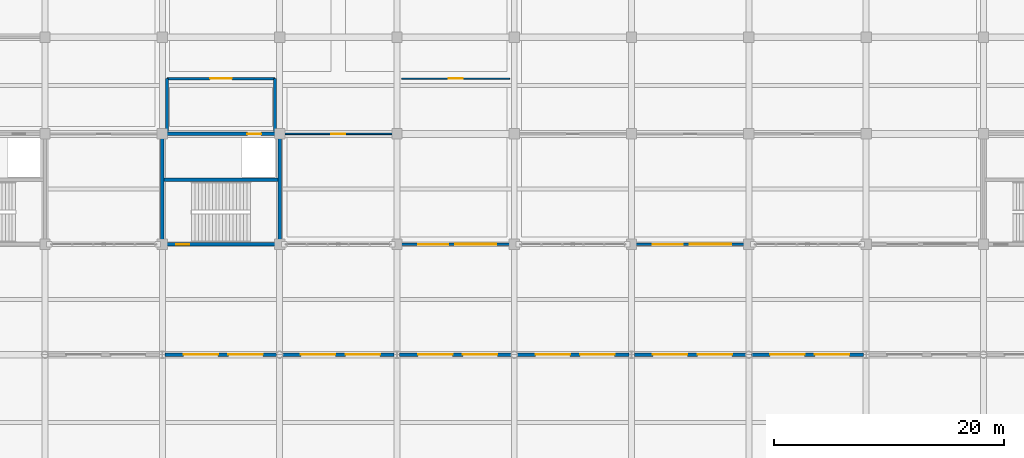
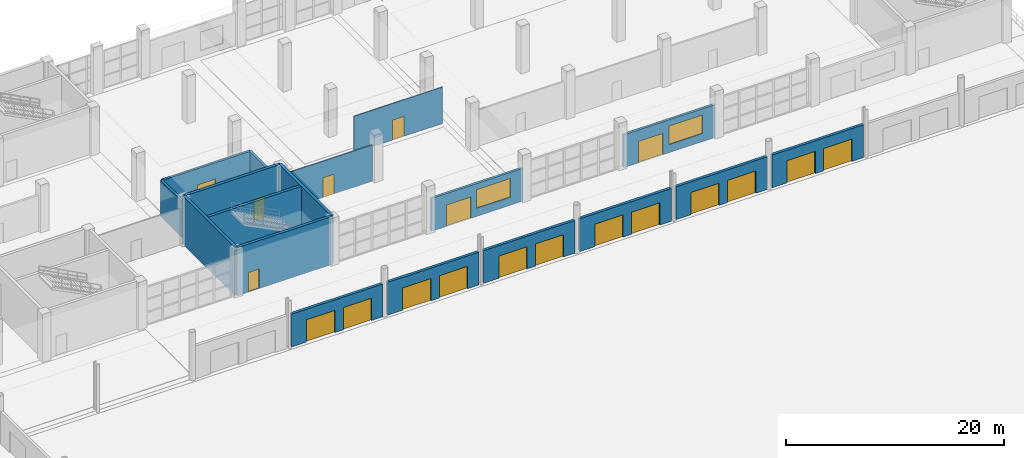
# One storey, part 89 of 124: 19 doors, 18 walls, 2 windows, 21 openings.
"""IFC4 building model written with IfcOpenShell, lengths in metres."""

import ifcopenshell
import ifcopenshell.guid

model = None  # the IFC model being written
_history = None  # IfcOwnerHistory: only IFC2X3 demands one
_inside = {}  # id of a spatial element -> (the spatial element, [elements in it])
_under = {}  # id of a project, library or spatial element -> (it, [spatial elements below it])
_declared = {}  # id of a project -> (the project, [libraries it declares])
_typed = {}  # id of a type object -> (the type object, [elements of that type])
_made_of = {}  # id of a material, layer set ... -> (it, [elements and type objects made of it])


def new_model(schema):
    """Start an empty IFC model of exactly this schema.

    Asked for "IFC4X3", IfcOpenShell would pick the latest addendum, in which some entities
    have other attributes; the version numbers below select the first issue.
    IFC2X3 requires an IfcOwnerHistory on every rooted entity: one is made here for all.
    """
    global model, _history
    if schema == "IFC4X3":
        model = ifcopenshell.file(schema_version=(4, 3, 0, 0))
    else:
        model = ifcopenshell.file(schema=schema)
    _inside.clear()
    _under.clear()
    _declared.clear()
    _typed.clear()
    _made_of.clear()
    _history = None
    if model.schema == "IFC2X3":
        org = make("IfcOrganization", Name="unknown")
        user = make(
            "IfcPersonAndOrganization",
            ThePerson=make("IfcPerson", FamilyName="unknown"),
            TheOrganization=org,
        )
        app = make(
            "IfcApplication",
            ApplicationDeveloper=org,
            Version="unknown",
            ApplicationFullName="unknown",
            ApplicationIdentifier="unknown",
        )
        _history = make(
            "IfcOwnerHistory",
            OwningUser=user,
            OwningApplication=app,
            ChangeAction="ADDED",
            CreationDate=0,
        )
    return model


def make(cls, **values):
    """One entity of the class cls with the attributes given. An attribute that is None is left unset."""
    return model.create_entity(
        cls, **{name: value for name, value in values.items() if value is not None}
    )


def rooted(cls, **values):
    """An entity with a GlobalId (a new one), such as an element, a storey or a relation."""
    return make(cls, GlobalId=ifcopenshell.guid.new(), OwnerHistory=_history, **values)


def si_unit(unit_type, name, prefix=None):
    """IfcSIUnit, for example si_unit("LENGTHUNIT", "METRE", prefix="MILLI")."""
    return make("IfcSIUnit", UnitType=unit_type, Prefix=prefix, Name=name)


def assignment(units):
    """IfcUnitAssignment: the units of a project."""
    return None if units is None else make("IfcUnitAssignment", Units=units)


def point(xyz):
    """IfcCartesianPoint."""
    return None if xyz is None else make("IfcCartesianPoint", Coordinates=xyz)


def direction(xyz):
    """IfcDirection."""
    return None if xyz is None else make("IfcDirection", DirectionRatios=xyz)


def frame(location, z_axis=None, x_axis=None):
    """IfcAxis2Placement3D, a coordinate frame: its origin and axes. An axis left out is left unset."""
    return make(
        "IfcAxis2Placement3D",
        Location=point(location),
        Axis=direction(z_axis),
        RefDirection=direction(x_axis),
    )


def frame_2d(location, x_axis=None):
    """IfcAxis2Placement2D, a coordinate frame in the plane: its origin and x axis."""
    return make(
        "IfcAxis2Placement2D", Location=point(location), RefDirection=direction(x_axis)
    )


def origin():
    """The frame at (0, 0, 0) with its axes left unset."""
    return frame((0.0, 0.0, 0.0))


def place(relative_to, where):
    """IfcLocalPlacement: puts the frame where relative to a parent placement (None: the world)."""
    return make(
        "IfcLocalPlacement", PlacementRelTo=relative_to, RelativePlacement=where
    )


def context(
    kind, dimensions, precision=None, world=None, true_north=None, identifier=None
):
    """IfcGeometricRepresentationContext, for example the 3D "Model" context."""
    return make(
        "IfcGeometricRepresentationContext",
        ContextIdentifier=identifier,
        ContextType=kind,
        CoordinateSpaceDimension=dimensions,
        Precision=precision,
        WorldCoordinateSystem=world,
        TrueNorth=true_north,
    )


def subcontext(parent, identifier, kind, view, scale=None):
    """IfcGeometricRepresentationSubContext, for example "Body" below "Model"."""
    return make(
        "IfcGeometricRepresentationSubContext",
        ContextIdentifier=identifier,
        ContextType=kind,
        ParentContext=parent,
        TargetScale=scale,
        TargetView=view,
    )


def project(units=None, contexts=None):
    """IfcProject with its units and contexts."""
    return rooted(
        "IfcProject",
        Name="project",
        RepresentationContexts=contexts,
        UnitsInContext=assignment(units),
    )


def spatial(cls, under=None, at=None, **own):
    """A site, building, storey or space (cls), placed at a placement, below another one or the project."""
    s = rooted(cls, ObjectPlacement=at, **own)
    if under is not None:
        _under.setdefault(under.id(), (under, []))[1].append(s)
    return s


def profile(cls, at=None, kind="AREA", **sizes):
    """A parametric profile (cls). Its sizes go by their IFC names, for example OverallWidth=200.0."""
    return make(cls, ProfileType=kind, Position=at, **sizes)


def rectangle(**sizes):
    """IfcRectangleProfileDef."""
    return profile("IfcRectangleProfileDef", **sizes)


def extrude(swept, where, along, depth):
    """IfcExtrudedAreaSolid: the profile swept, set in the frame where, extruded along a direction by depth."""
    return make(
        "IfcExtrudedAreaSolid",
        SweptArea=swept,
        Position=where,
        ExtrudedDirection=direction(along),
        Depth=depth,
    )


def shape(context_of_items, identifier, shape_type, items):
    """IfcShapeRepresentation: the items that make up one representation, for example the "Body"."""
    return make(
        "IfcShapeRepresentation",
        ContextOfItems=context_of_items,
        RepresentationIdentifier=identifier,
        RepresentationType=shape_type,
        Items=items,
    )


def material(Name=None, Category=None):
    """IfcMaterial."""
    return make("IfcMaterial", Name=Name, Category=Category)


def layer(
    of_material, thickness, ventilated=None, Name=None, Category=None, Priority=None
):
    """IfcMaterialLayer: one layer of a wall or slab, of a material (None: an air gap)."""
    return make(
        "IfcMaterialLayer",
        Material=of_material,
        LayerThickness=thickness,
        IsVentilated=ventilated,
        Name=Name,
        Category=Category,
        Priority=Priority,
    )


def layer_set(layers, Name=None):
    """IfcMaterialLayerSet."""
    return make("IfcMaterialLayerSet", MaterialLayers=layers, LayerSetName=Name)


def made_of(thing, what):
    """Note that an element or type object is made of a material, layer set ...; save() writes the relation."""
    if what is not None:
        _made_of.setdefault(what.id(), (what, []))[1].append(thing)
    return thing


def type_object(cls, material=None, **own):
    """A type object (cls), such as IfcWallType, which elements share."""
    return made_of(rooted(cls, **own), material)


def element(
    cls,
    number,
    at=None,
    inside=None,
    cuts=None,
    type_object=None,
    material=None,
    context=None,
    identifier="Body",
    shape_type=None,
    held_by="IfcProductDefinitionShape",
    body=None,
    shapes=None,
    **own,
):
    """One element of the class cls, such as IfcWall. Its Tag is "e" and its number.

    at: its placement. inside: the storey or other place that contains it. cuts: it is an
    opening in that element (IfcRelVoidsElement). A single representation is given by context,
    identifier, shape_type and body (its items); several are given by shapes. held_by: the class
    of the entity that holds the representations. save() writes the other relations.
    """
    e = rooted(cls, Tag="e%d" % number, ObjectPlacement=at, **own)
    if body is not None:
        shapes = [shape(context, identifier, shape_type, body)]
    if shapes is not None:
        e.Representation = make(held_by, Representations=shapes)
    if inside is not None:
        _inside.setdefault(inside.id(), (inside, []))[1].append(e)
    if cuts is not None:
        rooted(
            "IfcRelVoidsElement", RelatingBuildingElement=cuts, RelatedOpeningElement=e
        )
    if type_object is not None:
        _typed.setdefault(type_object.id(), (type_object, []))[1].append(e)
    return made_of(e, material)


def fill(opening, filler):
    """IfcRelFillsElement: the door or window that sits in an opening."""
    return rooted(
        "IfcRelFillsElement",
        RelatingOpeningElement=opening,
        RelatedBuildingElement=filler,
    )


def aggregate(whole, parts):
    """IfcRelAggregates: a whole, such as a stair, and the parts it consists of."""
    return rooted("IfcRelAggregates", RelatingObject=whole, RelatedObjects=parts)


def save(model, path):
    """Write the relations noted so far, then the file.

    IfcRelAggregates (storeys below a building ...), IfcRelContainedInSpatialStructure (elements
    in a storey), IfcRelDefinesByType, IfcRelAssociatesMaterial and IfcRelDeclares: one each for
    every whole, place, type object, material and project.
    """
    for whole, parts in _under.values():
        aggregate(whole, parts)
    for where, things in _inside.values():
        rooted(
            "IfcRelContainedInSpatialStructure",
            RelatedElements=things,
            RelatingStructure=where,
        )
    for kind, things in _typed.values():
        rooted("IfcRelDefinesByType", RelatedObjects=things, RelatingType=kind)
    for what, things in _made_of.values():
        rooted("IfcRelAssociatesMaterial", RelatedObjects=things, RelatingMaterial=what)
    for by, libraries in _declared.values():
        rooted("IfcRelDeclares", RelatingContext=by, RelatedDefinitions=libraries)
    model.write(path)


model = new_model("IFC4")

# Units and contexts
model_context = context("Model", 3, precision=1e-05, world=origin(), true_north=direction((0.0, 1.0)))
body_context = subcontext(model_context, "Body", "Model", "MODEL_VIEW")
ifc_project = project(units=[si_unit("LENGTHUNIT", "METRE"), si_unit("AREAUNIT", "SQUARE_METRE"), si_unit("VOLUMEUNIT", "CUBIC_METRE"), si_unit("PLANEANGLEUNIT", "RADIAN"), si_unit("MASSUNIT", "GRAM", prefix="KILO")], contexts=[model_context])

# Site, building, storey
site_placement = place(None, origin())
site = spatial("IfcSite", under=ifc_project, at=site_placement, CompositionType="ELEMENT")
building_placement = place(site_placement, origin())
building = spatial("IfcBuilding", under=site, at=building_placement, Name="Brelvane Convention Centre", CompositionType="ELEMENT")
storey_placement = place(building_placement, origin())
storey = spatial("IfcBuildingStorey", under=building, at=storey_placement, Name="L00", CompositionType="ELEMENT", Elevation=0.0)

# Wall, openings, doors
ifc_material_1 = material(Name="Insulated Autoclaved Aerated Concrete Block Grade 1", Category="concrete")
ifc_layer_1 = layer(ifc_material_1, 0.280029296875)
ifc_layer_set_1 = layer_set([ifc_layer_1], Name="Insulated Autoclaved Aerated Concrete Block Grade 1")
wall_type_1 = type_object("IfcWallType", Name="Exterior Wall EW-01", PredefinedType="STANDARD", material=ifc_layer_set_1)
wall_1_placement = place(storey_placement, frame((30.840087890625, 99.60009765625, 0.0), z_axis=(0.0, 0.0, 1.0), x_axis=(1.0, 0.0, 0.0)))
wall_1 = element("IfcWall", 1, at=wall_1_placement, inside=storey, type_object=wall_type_1, Name="Exterior Wall L00 V1N-L00-04", PredefinedType="STANDARD", context=body_context, shape_type="SweptSolid", body=[
    extrude(rectangle(XDim=9.719970703125, YDim=0.280029296875, at=frame_2d((4.85986328125, 0.0))), origin(), (0.0, 0.0, 1.0), 3.679931640625),
])
opening_1_placement = place(wall_1_placement, frame((1.610107421875, 0.0, 0.0)))
opening_1 = element("IfcOpeningElement", 2, at=opening_1_placement, cuts=wall_1, Name="Opening DR-EX-01", PredefinedType="OPENING", context=body_context, shape_type="SweptSolid", body=[
    extrude(rectangle(XDim=3.0, YDim=2.5, at=frame_2d((1.5, 1.25))), frame((0.0, 0.14990234375, 0.0), z_axis=(0.0, -1.0, 0.0), x_axis=(1.0, 0.0, 0.0)), (0.0, 0.0, 1.0), 0.300048828125),
])
opening_2_placement = place(wall_1_placement, frame((5.498046875, 0.0, 0.0)))
opening_2 = element("IfcOpeningElement", 3, at=opening_2_placement, cuts=wall_1, Name="Opening DR-EX-01", PredefinedType="OPENING", context=body_context, shape_type="SweptSolid", body=[
    extrude(rectangle(XDim=3.0, YDim=2.5, at=frame_2d((1.5, 1.25))), frame((0.0, 0.14990234375, 0.0), z_axis=(0.0, -1.0, 0.0), x_axis=(1.0, 0.0, 0.0)), (0.0, 0.0, 1.0), 0.300048828125),
])
ifc_material_2 = material(Name="Anodised Aluminium Alloy 6063-T6", Category="aluminium")
door_type_1 = type_object("IfcDoorType", Name="Exterior Door DR-EX-01", OperationType="NOTDEFINED", PredefinedType="DOOR", material=ifc_material_2)
door_1_placement = place(opening_1_placement, origin())
door_1 = element("IfcDoor", 4, at=door_1_placement, inside=storey, type_object=door_type_1, Name="Final Exit Door EXH-N4A (DR-EX-01)", OperationType="DOUBLE_DOOR_SINGLE_SWING", OverallHeight=2.5, OverallWidth=3.0, PredefinedType="DOOR", context=body_context, shape_type="SweptSolid", body=[
    extrude(rectangle(XDim=3.0, YDim=2.5, at=frame_2d((1.5, 1.25))), frame((0.0, 0.02490234375, 0.0), z_axis=(0.0, -1.0, 0.0), x_axis=(1.0, 0.0, 0.0)), (0.0, 0.0, 1.0), 0.050048828125),
])
fill(opening_1, door_1)
door_2_placement = place(opening_2_placement, origin())
door_2 = element("IfcDoor", 5, at=door_2_placement, inside=storey, type_object=door_type_1, Name="Final Exit Door EXH-N4B (DR-EX-01)", OperationType="DOUBLE_DOOR_SINGLE_SWING", OverallHeight=2.5, OverallWidth=3.0, PredefinedType="DOOR", context=body_context, shape_type="SweptSolid", body=[
    extrude(rectangle(XDim=3.0, YDim=2.5, at=frame_2d((1.5, 1.25))), frame((0.0, 0.02490234375, 0.0), z_axis=(0.0, -1.0, 0.0), x_axis=(1.0, 0.0, 0.0)), (0.0, 0.0, 1.0), 0.050048828125),
])
fill(opening_2, door_2)

wall_2_placement = place(storey_placement, frame((41.0400390625, 99.60009765625, 0.0), z_axis=(0.0, 0.0, 1.0), x_axis=(1.0, 0.0, 0.0)))
wall_2 = element("IfcWall", 6, at=wall_2_placement, inside=storey, type_object=wall_type_1, Name="Exterior Wall L00 V1N-L00-05", PredefinedType="STANDARD", context=body_context, shape_type="SweptSolid", body=[
    extrude(rectangle(XDim=9.719970703125, YDim=0.280029296875, at=frame_2d((4.85986328125, 0.0))), origin(), (0.0, 0.0, 1.0), 3.679931640625),
])
opening_3_placement = place(wall_2_placement, frame((1.610107421875, 0.0, 0.0)))
opening_3 = element("IfcOpeningElement", 7, at=opening_3_placement, cuts=wall_2, Name="Opening DR-EX-01", PredefinedType="OPENING", context=body_context, shape_type="SweptSolid", body=[
    extrude(rectangle(XDim=3.0, YDim=2.5, at=frame_2d((1.5, 1.25))), frame((0.0, 0.14990234375, 0.0), z_axis=(0.0, -1.0, 0.0), x_axis=(1.0, 0.0, 0.0)), (0.0, 0.0, 1.0), 0.300048828125),
])
opening_4_placement = place(wall_2_placement, frame((5.498046875, 0.0, 0.0)))
opening_4 = element("IfcOpeningElement", 8, at=opening_4_placement, cuts=wall_2, Name="Opening DR-EX-01", PredefinedType="OPENING", context=body_context, shape_type="SweptSolid", body=[
    extrude(rectangle(XDim=3.0, YDim=2.5, at=frame_2d((1.5, 1.25))), frame((0.0, 0.14990234375, 0.0), z_axis=(0.0, -1.0, 0.0), x_axis=(1.0, 0.0, 0.0)), (0.0, 0.0, 1.0), 0.300048828125),
])
door_3_placement = place(opening_3_placement, origin())
door_3 = element("IfcDoor", 9, at=door_3_placement, inside=storey, type_object=door_type_1, Name="Final Exit Door EXH-N5A (DR-EX-01)", OperationType="DOUBLE_DOOR_SINGLE_SWING", OverallHeight=2.5, OverallWidth=3.0, PredefinedType="DOOR", context=body_context, shape_type="SweptSolid", body=[
    extrude(rectangle(XDim=3.0, YDim=2.5, at=frame_2d((1.5, 1.25))), frame((0.0, 0.02490234375, 0.0), z_axis=(0.0, -1.0, 0.0), x_axis=(1.0, 0.0, 0.0)), (0.0, 0.0, 1.0), 0.050048828125),
])
fill(opening_3, door_3)
door_4_placement = place(opening_4_placement, origin())
door_4 = element("IfcDoor", 10, at=door_4_placement, inside=storey, type_object=door_type_1, Name="Final Exit Door EXH-N5B (DR-EX-01)", OperationType="DOUBLE_DOOR_SINGLE_SWING", OverallHeight=2.5, OverallWidth=3.0, PredefinedType="DOOR", context=body_context, shape_type="SweptSolid", body=[
    extrude(rectangle(XDim=3.0, YDim=2.5, at=frame_2d((1.5, 1.25))), frame((0.0, 0.02490234375, 0.0), z_axis=(0.0, -1.0, 0.0), x_axis=(1.0, 0.0, 0.0)), (0.0, 0.0, 1.0), 0.050048828125),
])
fill(opening_4, door_4)

wall_3_placement = place(storey_placement, frame((51.239990234375, 99.60009765625, 0.0), z_axis=(0.0, 0.0, 1.0), x_axis=(1.0, 0.0, 0.0)))
wall_3 = element("IfcWall", 11, at=wall_3_placement, inside=storey, type_object=wall_type_1, Name="Exterior Wall L00 V1N-L00-06", PredefinedType="STANDARD", context=body_context, shape_type="SweptSolid", body=[
    extrude(rectangle(XDim=9.719970703125, YDim=0.280029296875, at=frame_2d((4.85986328125, 0.0))), origin(), (0.0, 0.0, 1.0), 3.679931640625),
])
opening_5_placement = place(wall_3_placement, frame((1.610107421875, 0.0, 0.0)))
opening_5 = element("IfcOpeningElement", 12, at=opening_5_placement, cuts=wall_3, Name="Opening DR-EX-01", PredefinedType="OPENING", context=body_context, shape_type="SweptSolid", body=[
    extrude(rectangle(XDim=3.0, YDim=2.5, at=frame_2d((1.5, 1.25))), frame((0.0, 0.14990234375, 0.0), z_axis=(0.0, -1.0, 0.0), x_axis=(1.0, 0.0, 0.0)), (0.0, 0.0, 1.0), 0.300048828125),
])
opening_6_placement = place(wall_3_placement, frame((5.498046875, 0.0, 0.0)))
opening_6 = element("IfcOpeningElement", 13, at=opening_6_placement, cuts=wall_3, Name="Opening DR-EX-01", PredefinedType="OPENING", context=body_context, shape_type="SweptSolid", body=[
    extrude(rectangle(XDim=3.0, YDim=2.5, at=frame_2d((1.5, 1.25))), frame((0.0, 0.14990234375, 0.0), z_axis=(0.0, -1.0, 0.0), x_axis=(1.0, 0.0, 0.0)), (0.0, 0.0, 1.0), 0.300048828125),
])
door_5_placement = place(opening_5_placement, origin())
door_5 = element("IfcDoor", 14, at=door_5_placement, inside=storey, type_object=door_type_1, Name="Final Exit Door EXH-N6A (DR-EX-01)", OperationType="DOUBLE_DOOR_SINGLE_SWING", OverallHeight=2.5, OverallWidth=3.0, PredefinedType="DOOR", context=body_context, shape_type="SweptSolid", body=[
    extrude(rectangle(XDim=3.0, YDim=2.5, at=frame_2d((1.5, 1.25))), frame((0.0, 0.02490234375, 0.0), z_axis=(0.0, -1.0, 0.0), x_axis=(1.0, 0.0, 0.0)), (0.0, 0.0, 1.0), 0.050048828125),
])
fill(opening_5, door_5)
door_6_placement = place(opening_6_placement, origin())
door_6 = element("IfcDoor", 15, at=door_6_placement, inside=storey, type_object=door_type_1, Name="Final Exit Door EXH-N6B (DR-EX-01)", OperationType="DOUBLE_DOOR_SINGLE_SWING", OverallHeight=2.5, OverallWidth=3.0, PredefinedType="DOOR", context=body_context, shape_type="SweptSolid", body=[
    extrude(rectangle(XDim=3.0, YDim=2.5, at=frame_2d((1.5, 1.25))), frame((0.0, 0.02490234375, 0.0), z_axis=(0.0, -1.0, 0.0), x_axis=(1.0, 0.0, 0.0)), (0.0, 0.0, 1.0), 0.050048828125),
])
fill(opening_6, door_6)

wall_4_placement = place(storey_placement, frame((61.43994140625, 99.60009765625, 0.0), z_axis=(0.0, 0.0, 1.0), x_axis=(1.0, 0.0, 0.0)))
wall_4 = element("IfcWall", 16, at=wall_4_placement, inside=storey, type_object=wall_type_1, Name="Exterior Wall L00 V1N-L00-07", PredefinedType="STANDARD", context=body_context, shape_type="SweptSolid", body=[
    extrude(rectangle(XDim=9.719970703125, YDim=0.280029296875, at=frame_2d((4.85986328125, 0.0))), origin(), (0.0, 0.0, 1.0), 3.679931640625),
])
opening_7_placement = place(wall_4_placement, frame((1.610107421875, 0.0, 0.0)))
opening_7 = element("IfcOpeningElement", 17, at=opening_7_placement, cuts=wall_4, Name="Opening DR-EX-01", PredefinedType="OPENING", context=body_context, shape_type="SweptSolid", body=[
    extrude(rectangle(XDim=3.0, YDim=2.5, at=frame_2d((1.5, 1.25))), frame((0.0, 0.14990234375, 0.0), z_axis=(0.0, -1.0, 0.0), x_axis=(1.0, 0.0, 0.0)), (0.0, 0.0, 1.0), 0.300048828125),
])
opening_8_placement = place(wall_4_placement, frame((5.498046875, 0.0, 0.0)))
opening_8 = element("IfcOpeningElement", 18, at=opening_8_placement, cuts=wall_4, Name="Opening DR-EX-01", PredefinedType="OPENING", context=body_context, shape_type="SweptSolid", body=[
    extrude(rectangle(XDim=3.0, YDim=2.5, at=frame_2d((1.5, 1.25))), frame((0.0, 0.14990234375, 0.0), z_axis=(0.0, -1.0, 0.0), x_axis=(1.0, 0.0, 0.0)), (0.0, 0.0, 1.0), 0.300048828125),
])
door_7_placement = place(opening_7_placement, origin())
door_7 = element("IfcDoor", 19, at=door_7_placement, inside=storey, type_object=door_type_1, Name="Final Exit Door EXH-N7A (DR-EX-01)", OperationType="DOUBLE_DOOR_SINGLE_SWING", OverallHeight=2.5, OverallWidth=3.0, PredefinedType="DOOR", context=body_context, shape_type="SweptSolid", body=[
    extrude(rectangle(XDim=3.0, YDim=2.5, at=frame_2d((1.5, 1.25))), frame((0.0, 0.02490234375, 0.0), z_axis=(0.0, -1.0, 0.0), x_axis=(1.0, 0.0, 0.0)), (0.0, 0.0, 1.0), 0.050048828125),
])
fill(opening_7, door_7)
door_8_placement = place(opening_8_placement, origin())
door_8 = element("IfcDoor", 20, at=door_8_placement, inside=storey, type_object=door_type_1, Name="Final Exit Door EXH-N7B (DR-EX-01)", OperationType="DOUBLE_DOOR_SINGLE_SWING", OverallHeight=2.5, OverallWidth=3.0, PredefinedType="DOOR", context=body_context, shape_type="SweptSolid", body=[
    extrude(rectangle(XDim=3.0, YDim=2.5, at=frame_2d((1.5, 1.25))), frame((0.0, 0.02490234375, 0.0), z_axis=(0.0, -1.0, 0.0), x_axis=(1.0, 0.0, 0.0)), (0.0, 0.0, 1.0), 0.050048828125),
])
fill(opening_8, door_8)

wall_5_placement = place(storey_placement, frame((71.639892578125, 99.60009765625, 0.0), z_axis=(0.0, 0.0, 1.0), x_axis=(1.0, 0.0, 0.0)))
wall_5 = element("IfcWall", 21, at=wall_5_placement, inside=storey, type_object=wall_type_1, Name="Exterior Wall L00 V1N-L00-08", PredefinedType="STANDARD", context=body_context, shape_type="SweptSolid", body=[
    extrude(rectangle(XDim=9.72021484375, YDim=0.280029296875, at=frame_2d((4.860107421875, 0.0))), origin(), (0.0, 0.0, 1.0), 3.679931640625),
])
opening_9_placement = place(wall_5_placement, frame((1.610107421875, 0.0, 0.0)))
opening_9 = element("IfcOpeningElement", 22, at=opening_9_placement, cuts=wall_5, Name="Opening DR-EX-01", PredefinedType="OPENING", context=body_context, shape_type="SweptSolid", body=[
    extrude(rectangle(XDim=3.0, YDim=2.5, at=frame_2d((1.5, 1.25))), frame((0.0, 0.14990234375, 0.0), z_axis=(0.0, -1.0, 0.0), x_axis=(1.0, 0.0, 0.0)), (0.0, 0.0, 1.0), 0.300048828125),
])
opening_10_placement = place(wall_5_placement, frame((5.498046875, 0.0, 0.0)))
opening_10 = element("IfcOpeningElement", 23, at=opening_10_placement, cuts=wall_5, Name="Opening DR-EX-01", PredefinedType="OPENING", context=body_context, shape_type="SweptSolid", body=[
    extrude(rectangle(XDim=3.0, YDim=2.5, at=frame_2d((1.5, 1.25))), frame((0.0, 0.14990234375, 0.0), z_axis=(0.0, -1.0, 0.0), x_axis=(1.0, 0.0, 0.0)), (0.0, 0.0, 1.0), 0.300048828125),
])
door_9_placement = place(opening_9_placement, origin())
door_9 = element("IfcDoor", 24, at=door_9_placement, inside=storey, type_object=door_type_1, Name="Final Exit Door EXH-N8A (DR-EX-01)", OperationType="DOUBLE_DOOR_SINGLE_SWING", OverallHeight=2.5, OverallWidth=3.0, PredefinedType="DOOR", context=body_context, shape_type="SweptSolid", body=[
    extrude(rectangle(XDim=3.0, YDim=2.5, at=frame_2d((1.5, 1.25))), frame((0.0, 0.02490234375, 0.0), z_axis=(0.0, -1.0, 0.0), x_axis=(1.0, 0.0, 0.0)), (0.0, 0.0, 1.0), 0.050048828125),
])
fill(opening_9, door_9)
door_10_placement = place(opening_10_placement, origin())
door_10 = element("IfcDoor", 25, at=door_10_placement, inside=storey, type_object=door_type_1, Name="Final Exit Door EXH-N8B (DR-EX-01)", OperationType="DOUBLE_DOOR_SINGLE_SWING", OverallHeight=2.5, OverallWidth=3.0, PredefinedType="DOOR", context=body_context, shape_type="SweptSolid", body=[
    extrude(rectangle(XDim=3.0, YDim=2.5, at=frame_2d((1.5, 1.25))), frame((0.0, 0.02490234375, 0.0), z_axis=(0.0, -1.0, 0.0), x_axis=(1.0, 0.0, 0.0)), (0.0, 0.0, 1.0), 0.050048828125),
])
fill(opening_10, door_10)

wall_6_placement = place(storey_placement, frame((81.840087890625, 99.60009765625, 0.0), z_axis=(0.0, 0.0, 1.0), x_axis=(1.0, 0.0, 0.0)))
wall_6 = element("IfcWall", 26, at=wall_6_placement, inside=storey, type_object=wall_type_1, Name="Exterior Wall L00 V1N-L00-09", PredefinedType="STANDARD", context=body_context, shape_type="SweptSolid", body=[
    extrude(rectangle(XDim=9.719970703125, YDim=0.280029296875, at=frame_2d((4.85986328125, 0.0))), origin(), (0.0, 0.0, 1.0), 3.679931640625),
])
opening_11_placement = place(wall_6_placement, frame((1.610107421875, 0.0, 0.0)))
opening_11 = element("IfcOpeningElement", 27, at=opening_11_placement, cuts=wall_6, Name="Opening DR-EX-01", PredefinedType="OPENING", context=body_context, shape_type="SweptSolid", body=[
    extrude(rectangle(XDim=3.0, YDim=2.5, at=frame_2d((1.5, 1.25))), frame((0.0, 0.14990234375, 0.0), z_axis=(0.0, -1.0, 0.0), x_axis=(1.0, 0.0, 0.0)), (0.0, 0.0, 1.0), 0.300048828125),
])
opening_12_placement = place(wall_6_placement, frame((5.498046875, 0.0, 0.0)))
opening_12 = element("IfcOpeningElement", 28, at=opening_12_placement, cuts=wall_6, Name="Opening DR-EX-01", PredefinedType="OPENING", context=body_context, shape_type="SweptSolid", body=[
    extrude(rectangle(XDim=3.0, YDim=2.5, at=frame_2d((1.5, 1.25))), frame((0.0, 0.14990234375, 0.0), z_axis=(0.0, -1.0, 0.0), x_axis=(1.0, 0.0, 0.0)), (0.0, 0.0, 1.0), 0.300048828125),
])
door_11_placement = place(opening_11_placement, origin())
door_11 = element("IfcDoor", 29, at=door_11_placement, inside=storey, type_object=door_type_1, Name="Final Exit Door EXH-N9A (DR-EX-01)", OperationType="DOUBLE_DOOR_SINGLE_SWING", OverallHeight=2.5, OverallWidth=3.0, PredefinedType="DOOR", context=body_context, shape_type="SweptSolid", body=[
    extrude(rectangle(XDim=3.0, YDim=2.5, at=frame_2d((1.5, 1.25))), frame((0.0, 0.02490234375, 0.0), z_axis=(0.0, -1.0, 0.0), x_axis=(1.0, 0.0, 0.0)), (0.0, 0.0, 1.0), 0.050048828125),
])
fill(opening_11, door_11)
door_12_placement = place(opening_12_placement, origin())
door_12 = element("IfcDoor", 30, at=door_12_placement, inside=storey, type_object=door_type_1, Name="Final Exit Door EXH-N9B (DR-EX-01)", OperationType="DOUBLE_DOOR_SINGLE_SWING", OverallHeight=2.5, OverallWidth=3.0, PredefinedType="DOOR", context=body_context, shape_type="SweptSolid", body=[
    extrude(rectangle(XDim=3.0, YDim=2.5, at=frame_2d((1.5, 1.25))), frame((0.0, 0.02490234375, 0.0), z_axis=(0.0, -1.0, 0.0), x_axis=(1.0, 0.0, 0.0)), (0.0, 0.0, 1.0), 0.050048828125),
])
fill(opening_12, door_12)

# Wall, openings, door, window
ifc_material_3 = material(Name="Insulated Autoclaved Aerated Concrete Block Grade 1", Category="concrete")
ifc_layer_2 = layer(ifc_material_3, 0.239990234375)
ifc_layer_set_2 = layer_set([ifc_layer_2], Name="Insulated Autoclaved Aerated Concrete Block Grade 1")
wall_type_2 = type_object("IfcWallType", Name="Exterior Wall EW-03", PredefinedType="STANDARD", material=ifc_layer_set_2)
wall_7_placement = place(storey_placement, frame((51.239990234375, 109.199951171875, 0.0), z_axis=(0.0, 0.0, 1.0), x_axis=(1.0, 0.0, 0.0)))
wall_7 = element("IfcWall", 31, at=wall_7_placement, inside=storey, type_object=wall_type_2, Name="Exterior Wall L00 V4S-06", PredefinedType="STANDARD", context=body_context, shape_type="SweptSolid", body=[
    extrude(rectangle(XDim=9.719970703125, YDim=0.239990234375, at=frame_2d((4.85986328125, 0.0))), origin(), (0.0, 0.0, 1.0), 3.679931640625),
])
opening_13_placement = place(wall_7_placement, frame((1.615966796875, 0.0, 0.0)))
opening_13 = element("IfcOpeningElement", 32, at=opening_13_placement, cuts=wall_7, Name="Opening DR-EX-03", PredefinedType="OPENING", context=body_context, shape_type="SweptSolid", body=[
    extrude(rectangle(XDim=2.60009765625, YDim=2.39990234375, at=frame_2d((1.300048828125, 1.199951171875))), frame((0.0, 0.1298828125, 0.0), z_axis=(0.0, -1.0, 0.0), x_axis=(1.0, 0.0, 0.0)), (0.0, 0.0, 1.0), 0.260009765625),
])
opening_14_placement = place(wall_7_placement, frame((4.81005859375, 0.0, 0.89990234375)))
opening_14 = element("IfcOpeningElement", 33, at=opening_14_placement, cuts=wall_7, Name="Opening WN-03", PredefinedType="OPENING", context=body_context, shape_type="SweptSolid", body=[
    extrude(rectangle(XDim=3.60009765625, YDim=2.10009765625, at=frame_2d((1.800048828125, 1.050048828125))), frame((0.0, 0.1298828125, 0.0), z_axis=(0.0, -1.0, 0.0), x_axis=(1.0, 0.0, 0.0)), (0.0, 0.0, 1.0), 0.260009765625),
])
ifc_material_4 = material(Name="Anodised Aluminium Alloy 6063-T6", Category="aluminium")
door_type_2 = type_object("IfcDoorType", Name="Exterior Door DR-EX-03", OperationType="NOTDEFINED", PredefinedType="DOOR", material=ifc_material_4)
door_13_placement = place(opening_13_placement, frame((2.60009765625, 0.0, 0.0), z_axis=(0.0, 0.0, 1.0), x_axis=(-1.0, 0.0, 0.0)))
door_13 = element("IfcDoor", 34, at=door_13_placement, inside=storey, type_object=door_type_2, Name="Final Exit Door MEET-S6 (DR-EX-03)", OperationType="DOUBLE_DOOR_SINGLE_SWING", OverallHeight=2.39990234375, OverallWidth=2.60009765625, PredefinedType="DOOR", context=body_context, shape_type="SweptSolid", body=[
    extrude(rectangle(XDim=2.60009765625, YDim=2.39990234375, at=frame_2d((1.300048828125, 1.199951171875))), frame((0.0, 0.02490234375, 0.0), z_axis=(0.0, -1.0, 0.0), x_axis=(1.0, 0.0, 0.0)), (0.0, 0.0, 1.0), 0.050048828125),
])
fill(opening_13, door_13)
ifc_material_5 = material(Name="Double Glazed Low-E Laminated Unit")
window_type = type_object("IfcWindowType", Name="Window WN-03", PartitioningType="TRIPLE_PANEL_VERTICAL", PredefinedType="WINDOW", material=ifc_material_5)
window_1_placement = place(opening_14_placement, origin())
window_1 = element("IfcWindow", 35, at=window_1_placement, inside=storey, type_object=window_type, Name="Facade Window L00-V4S-06-011", OverallHeight=2.10009765625, OverallWidth=3.60009765625, PartitioningType="TRIPLE_PANEL_VERTICAL", PredefinedType="WINDOW", context=body_context, shape_type="SweptSolid", body=[
    extrude(rectangle(XDim=3.60009765625, YDim=2.10009765625, at=frame_2d((1.800048828125, 1.050048828125))), frame((0.0, 0.030029296875, 0.0), z_axis=(0.0, -1.0, 0.0), x_axis=(1.0, 0.0, 0.0)), (0.0, 0.0, 1.0), 0.06005859375),
])
fill(opening_14, window_1)

wall_8_placement = place(storey_placement, frame((71.639892578125, 109.199951171875, 0.0), z_axis=(0.0, 0.0, 1.0), x_axis=(1.0, 0.0, 0.0)))
wall_8 = element("IfcWall", 36, at=wall_8_placement, inside=storey, type_object=wall_type_2, Name="Exterior Wall L00 V4S-08", PredefinedType="STANDARD", context=body_context, shape_type="SweptSolid", body=[
    extrude(rectangle(XDim=9.72021484375, YDim=0.239990234375, at=frame_2d((4.860107421875, 0.0))), origin(), (0.0, 0.0, 1.0), 3.679931640625),
])
opening_15_placement = place(wall_8_placement, frame((1.615966796875, 0.0, 0.0)))
opening_15 = element("IfcOpeningElement", 37, at=opening_15_placement, cuts=wall_8, Name="Opening DR-EX-03", PredefinedType="OPENING", context=body_context, shape_type="SweptSolid", body=[
    extrude(rectangle(XDim=2.60009765625, YDim=2.39990234375, at=frame_2d((1.300048828125, 1.199951171875))), frame((0.0, 0.1298828125, 0.0), z_axis=(0.0, -1.0, 0.0), x_axis=(1.0, 0.0, 0.0)), (0.0, 0.0, 1.0), 0.260009765625),
])
opening_16_placement = place(wall_8_placement, frame((4.81005859375, 0.0, 0.89990234375)))
opening_16 = element("IfcOpeningElement", 38, at=opening_16_placement, cuts=wall_8, Name="Opening WN-03", PredefinedType="OPENING", context=body_context, shape_type="SweptSolid", body=[
    extrude(rectangle(XDim=3.60009765625, YDim=2.10009765625, at=frame_2d((1.800048828125, 1.050048828125))), frame((0.0, 0.1298828125, 0.0), z_axis=(0.0, -1.0, 0.0), x_axis=(1.0, 0.0, 0.0)), (0.0, 0.0, 1.0), 0.260009765625),
])
door_14_placement = place(opening_15_placement, frame((2.60009765625, 0.0, 0.0), z_axis=(0.0, 0.0, 1.0), x_axis=(-1.0, 0.0, 0.0)))
door_14 = element("IfcDoor", 39, at=door_14_placement, inside=storey, type_object=door_type_2, Name="Final Exit Door MEET-S8 (DR-EX-03)", OperationType="DOUBLE_DOOR_SINGLE_SWING", OverallHeight=2.39990234375, OverallWidth=2.60009765625, PredefinedType="DOOR", context=body_context, shape_type="SweptSolid", body=[
    extrude(rectangle(XDim=2.60009765625, YDim=2.39990234375, at=frame_2d((1.300048828125, 1.199951171875))), frame((0.0, 0.02490234375, 0.0), z_axis=(0.0, -1.0, 0.0), x_axis=(1.0, 0.0, 0.0)), (0.0, 0.0, 1.0), 0.050048828125),
])
fill(opening_15, door_14)
window_2_placement = place(opening_16_placement, origin())
window_2 = element("IfcWindow", 40, at=window_2_placement, inside=storey, type_object=window_type, Name="Facade Window L00-V4S-08-013", OverallHeight=2.10009765625, OverallWidth=3.60009765625, PartitioningType="TRIPLE_PANEL_VERTICAL", PredefinedType="WINDOW", context=body_context, shape_type="SweptSolid", body=[
    extrude(rectangle(XDim=3.60009765625, YDim=2.10009765625, at=frame_2d((1.800048828125, 1.050048828125))), frame((0.0, 0.030029296875, 0.0), z_axis=(0.0, -1.0, 0.0), x_axis=(1.0, 0.0, 0.0)), (0.0, 0.0, 1.0), 0.06005859375),
])
fill(opening_16, window_2)

# Wall, opening, door
ifc_material_6 = material(Name="Concrete M40", Category="concrete")
ifc_layer_3 = layer(ifc_material_6, 0.239990234375)
ifc_layer_set_3 = layer_set([ifc_layer_3], Name="Concrete M40")
wall_type_3 = type_object("IfcWallType", Name="Interior Wall IW-FR-240", PredefinedType="PARTITIONING", material=ifc_layer_set_3)
wall_9_placement = place(storey_placement, frame((31.0, 123.60009765625, 0.0), z_axis=(0.0, 0.0, 1.0), x_axis=(1.0, 0.0, 0.0)))
wall_9 = element("IfcWall", 41, at=wall_9_placement, inside=storey, type_object=wall_type_3, Name="Firefighting Lobby C7 Wall N (L00)", PredefinedType="PARTITIONING", context=body_context, shape_type="SweptSolid", body=[
    extrude(rectangle(XDim=9.39990234375, YDim=0.239990234375, at=frame_2d((4.699951171875, 0.0))), origin(), (0.0, 0.0, 1.0), 4.080078125),
])
opening_17_placement = place(wall_9_placement, frame((3.75, 0.0, 0.0)))
opening_17 = element("IfcOpeningElement", 42, at=opening_17_placement, cuts=wall_9, Name="Opening DR-FL-01", PredefinedType="OPENING", context=body_context, shape_type="SweptSolid", body=[
    extrude(rectangle(XDim=1.89990234375, YDim=2.25, at=frame_2d((0.949951171875, 1.125))), frame((0.0, 0.1298828125, 0.0), z_axis=(0.0, -1.0, 0.0), x_axis=(1.0, 0.0, 0.0)), (0.0, 0.0, 1.0), 0.260009765625),
])
ifc_material_7 = material(Name="Galvanised Hollow-Metal Fire Door Steel E250", Category="steel")
door_type_3 = type_object("IfcDoorType", Name="Interior Door DR-FL-01", OperationType="NOTDEFINED", PredefinedType="DOOR", material=ifc_material_7)
door_15_placement = place(opening_17_placement, origin())
door_15 = element("IfcDoor", 43, at=door_15_placement, inside=storey, type_object=door_type_3, Name="Firefighting Lobby C7 Smoke Door (L00)", OperationType="DOUBLE_DOOR_SINGLE_SWING", OverallHeight=2.25, OverallWidth=1.89990234375, PredefinedType="DOOR", context=body_context, shape_type="SweptSolid", body=[
    extrude(rectangle(XDim=1.89990234375, YDim=2.25, at=frame_2d((0.949951171875, 1.125))), frame((0.0, 0.02490234375, 0.0), z_axis=(0.0, -1.0, 0.0), x_axis=(1.0, 0.0, 0.0)), (0.0, 0.0, 1.0), 0.050048828125),
])
fill(opening_17, door_15)

# Walls
for number, where, z_axis, x_axis, name in (
    (44, (40.39990234375, 119.0, 0.0), (0.0, 0.0, 1.0), (0.0, 1.0, 0.0), "Firefighting Lobby C7 Wall E (L00)"),
    (45, (31.0, 119.0, 0.0), (0.0, 0.0, 1.0), (0.0, 1.0, 0.0), "Firefighting Lobby C7 Wall W (L00)"),
):
    element("IfcWall", number, at=place(storey_placement, frame(where, z_axis=z_axis, x_axis=x_axis)), inside=storey, type_object=wall_type_3, Name=name, PredefinedType="PARTITIONING", context=body_context, shape_type="SweptSolid", body=[
        extrude(rectangle(XDim=4.60009765625, YDim=0.239990234375, at=frame_2d((2.300048828125, 0.0))), origin(), (0.0, 0.0, 1.0), 4.080078125),
    ])

# Wall, opening, door
ifc_material_8 = material(Name="Fire-Rated Acoustic Gypsum Partition Board Grade A")
ifc_layer_4 = layer(ifc_material_8, 0.10498046875)
ifc_layer_set_4 = layer_set([ifc_layer_4], Name="Fire-Rated Acoustic Gypsum Partition Board Grade A")
wall_type_4 = type_object("IfcWallType", Name="Interior Wall IW-PT-105", PredefinedType="PARTITIONING", material=ifc_layer_set_4)
wall_10_placement = place(storey_placement, frame((51.39990234375, 123.60009765625, 0.0), z_axis=(0.0, 0.0, 1.0), x_axis=(1.0, 0.0, 0.0)))
wall_10 = element("IfcWall", 46, at=wall_10_placement, inside=storey, type_object=wall_type_4, Name="Interior Partition L00-MT105", PredefinedType="PARTITIONING", context=body_context, shape_type="SweptSolid", body=[
    extrude(rectangle(XDim=9.400146484375, YDim=0.10498046875, at=frame_2d((4.7001953125, 0.0))), origin(), (0.0, 0.0, 1.0), 4.080078125),
])
opening_18_placement = place(wall_10_placement, frame((4.090087890625, 0.0, 0.0)))
opening_18 = element("IfcOpeningElement", 47, at=opening_18_placement, cuts=wall_10, Name="Opening DR-IN-14R", PredefinedType="OPENING", context=body_context, shape_type="SweptSolid", body=[
    extrude(rectangle(XDim=1.219970703125, YDim=2.219970703125, at=frame_2d((0.60986328125, 1.10986328125))), frame((0.0, 0.0625, 0.0), z_axis=(0.0, -1.0, 0.0), x_axis=(1.0, 0.0, 0.0)), (0.0, 0.0, 1.0), 0.125),
])
ifc_material_9 = material(Name="Galvanised Hollow-Metal Fire Door Steel E250", Category="steel")
door_type_4 = type_object("IfcDoorType", Name="Interior Door DR-IN-14R", OperationType="NOTDEFINED", PredefinedType="DOOR", material=ifc_material_9)
door_16_placement = place(opening_18_placement, origin())
door_16 = element("IfcDoor", 48, at=door_16_placement, inside=storey, type_object=door_type_4, Name="Interior Door L00-MT105 (DR-IN-14R)", OperationType="SINGLE_SWING_RIGHT", OverallHeight=2.219970703125, OverallWidth=1.219970703125, PredefinedType="DOOR", context=body_context, shape_type="SweptSolid", body=[
    extrude(rectangle(XDim=1.219970703125, YDim=2.219970703125, at=frame_2d((0.60986328125, 1.10986328125))), frame((0.0, 0.02490234375, 0.0), z_axis=(0.0, -1.0, 0.0), x_axis=(1.0, 0.0, 0.0)), (0.0, 0.0, 1.0), 0.050048828125),
])
fill(opening_18, door_16)

ifc_material_10 = material(Name="Fire-Rated Acoustic Gypsum Partition Board Grade A")
ifc_layer_5 = layer(ifc_material_10, 0.114990234375)
ifc_layer_set_5 = layer_set([ifc_layer_5], Name="Fire-Rated Acoustic Gypsum Partition Board Grade A")
wall_type_5 = type_object("IfcWallType", Name="Interior Wall IW-PT-115", PredefinedType="PARTITIONING", material=ifc_layer_set_5)
wall_11_placement = place(storey_placement, frame((41.199951171875, 118.800048828125, 0.0), z_axis=(0.0, 0.0, 1.0), x_axis=(1.0, 0.0, 0.0)))
wall_11 = element("IfcWall", 49, at=wall_11_placement, inside=storey, type_object=wall_type_5, Name="Interior Partition L00-MT104", PredefinedType="PARTITIONING", context=body_context, shape_type="SweptSolid", body=[
    extrude(rectangle(XDim=9.400146484375, YDim=0.114990234375, at=frame_2d((4.7001953125, 0.0))), origin(), (0.0, 0.0, 1.0), 4.080078125),
])
opening_19_placement = place(wall_11_placement, frame((4.110107421875, 0.0, 0.0)))
opening_19 = element("IfcOpeningElement", 50, at=opening_19_placement, cuts=wall_11, Name="Opening DR-IN-14L", PredefinedType="OPENING", context=body_context, shape_type="SweptSolid", body=[
    extrude(rectangle(XDim=1.179931640625, YDim=2.219970703125, at=frame_2d((0.58984375, 1.10986328125))), frame((0.0, 0.0673828125, 0.0), z_axis=(0.0, -1.0, 0.0), x_axis=(1.0, 0.0, 0.0)), (0.0, 0.0, 1.0), 0.135009765625),
])
ifc_material_11 = material(Name="Galvanised Hollow-Metal Fire Door Steel E250", Category="steel")
door_type_5 = type_object("IfcDoorType", Name="Interior Door DR-IN-14L", OperationType="NOTDEFINED", PredefinedType="DOOR", material=ifc_material_11)
door_17_placement = place(opening_19_placement, origin())
door_17 = element("IfcDoor", 51, at=door_17_placement, inside=storey, type_object=door_type_5, Name="Interior Door L00-MT104 (DR-IN-14L)", OperationType="SINGLE_SWING_LEFT", OverallHeight=2.219970703125, OverallWidth=1.179931640625, PredefinedType="DOOR", context=body_context, shape_type="SweptSolid", body=[
    extrude(rectangle(XDim=1.179931640625, YDim=2.219970703125, at=frame_2d((0.58984375, 1.10986328125))), frame((0.0, 0.02490234375, 0.0), z_axis=(0.0, -1.0, 0.0), x_axis=(1.0, 0.0, 0.0)), (0.0, 0.0, 1.0), 0.050048828125),
])
fill(opening_19, door_17)

ifc_material_12 = material(Name="Concrete M50", Category="concrete")
ifc_layer_6 = layer(ifc_material_12, 0.300048828125)
ifc_layer_set_6 = layer_set([ifc_layer_6], Name="Concrete M50")
wall_type_6 = type_object("IfcWallType", Name="Structural Wall WL-CORE-300", PredefinedType="SHEAR", material=ifc_layer_set_6)
wall_12_placement = place(storey_placement, frame((30.60009765625, 109.199951171875, 0.0), z_axis=(0.0, 0.0, 1.0), x_axis=(1.0, 0.0, 0.0)))
wall_12 = element("IfcWall", 52, at=wall_12_placement, inside=storey, type_object=wall_type_6, Name="Core C7 Shear Wall S (L00)", PredefinedType="SHEAR", context=body_context, shape_type="SweptSolid", body=[
    extrude(rectangle(XDim=10.199951171875, YDim=0.300048828125, at=frame_2d((5.10009765625, 0.0))), origin(), (0.0, 0.0, 1.0), 5.39990234375),
])
opening_20_placement = place(wall_12_placement, frame((1.199951171875, 0.0, 0.0)))
opening_20 = element("IfcOpeningElement", 53, at=opening_20_placement, cuts=wall_12, Name="Opening DR-IN-04L", PredefinedType="OPENING", context=body_context, shape_type="SweptSolid", body=[
    extrude(rectangle(XDim=1.159912109375, YDim=2.199951171875, at=frame_2d((0.580078125, 1.10009765625))), frame((0.0, 0.159912109375, 0.0), z_axis=(0.0, -1.0, 0.0), x_axis=(1.0, 0.0, 0.0)), (0.0, 0.0, 1.0), 0.320068359375),
])
ifc_material_13 = material(Name="Galvanised Hollow-Metal Fire Door Steel E250", Category="steel")
door_type_6 = type_object("IfcDoorType", Name="Interior Door DR-IN-04L", OperationType="NOTDEFINED", PredefinedType="DOOR", material=ifc_material_13)
door_18_placement = place(opening_20_placement, frame((1.159912109375, 0.0, 0.0), z_axis=(0.0, 0.0, 1.0), x_axis=(-1.0, 0.0, 0.0)))
door_18 = element("IfcDoor", 54, at=door_18_placement, inside=storey, type_object=door_type_6, Name="Stair ST-07 Final Exit Door (L00)", OperationType="SINGLE_SWING_LEFT", OverallHeight=2.199951171875, OverallWidth=1.159912109375, PredefinedType="DOOR", context=body_context, shape_type="SweptSolid", body=[
    extrude(rectangle(XDim=1.159912109375, YDim=2.199951171875, at=frame_2d((0.580078125, 1.10009765625))), frame((0.0, 0.02490234375, 0.0), z_axis=(0.0, -1.0, 0.0), x_axis=(1.0, 0.0, 0.0)), (0.0, 0.0, 1.0), 0.050048828125),
])
fill(opening_20, door_18)

wall_13_placement = place(storey_placement, frame((30.60009765625, 118.800048828125, 0.0), z_axis=(0.0, 0.0, 1.0), x_axis=(1.0, 0.0, 0.0)))
wall_13 = element("IfcWall", 55, at=wall_13_placement, inside=storey, type_object=wall_type_6, Name="Core C7 Shear Wall N (L00)", PredefinedType="SHEAR", context=body_context, shape_type="SweptSolid", body=[
    extrude(rectangle(XDim=10.199951171875, YDim=0.300048828125, at=frame_2d((5.10009765625, 0.0))), origin(), (0.0, 0.0, 1.0), 5.39990234375),
])
opening_21_placement = place(wall_13_placement, frame((7.39990234375, 0.0, 0.0)))
opening_21 = element("IfcOpeningElement", 56, at=opening_21_placement, cuts=wall_13, Name="Opening LD-01", PredefinedType="OPENING", context=body_context, shape_type="SweptSolid", body=[
    extrude(rectangle(XDim=1.199951171875, YDim=2.25, at=frame_2d((0.60009765625, 1.125))), frame((0.0, 0.159912109375, 0.0), z_axis=(0.0, -1.0, 0.0), x_axis=(1.0, 0.0, 0.0)), (0.0, 0.0, 1.0), 0.320068359375),
])
ifc_material_14 = material(Name="Galvanised Hollow-Metal Fire Door Steel E250", Category="steel")
door_type_7 = type_object("IfcDoorType", Name="Interior Door LD-01", OperationType="NOTDEFINED", PredefinedType="DOOR", material=ifc_material_14)
door_19_placement = place(opening_21_placement, origin())
door_19 = element("IfcDoor", 57, at=door_19_placement, inside=storey, type_object=door_type_7, Name="Lift LF-04 Landing Door (L00)", OperationType="SLIDING_TO_LEFT", OverallHeight=2.25, OverallWidth=1.199951171875, PredefinedType="DOOR", context=body_context, shape_type="SweptSolid", body=[
    extrude(rectangle(XDim=1.199951171875, YDim=2.25, at=frame_2d((0.60009765625, 1.125))), frame((0.0, 0.02490234375, 0.0), z_axis=(0.0, -1.0, 0.0), x_axis=(1.0, 0.0, 0.0)), (0.0, 0.0, 1.0), 0.050048828125),
])
fill(opening_21, door_19)

# Walls
for number, where, z_axis, x_axis, name in (
    (58, (30.60009765625, 109.199951171875, 0.0), (0.0, 0.0, 1.0), (0.0, 1.0, 0.0), "Core C7 Shear Wall W (L00)"),
    (59, (40.800048828125, 109.199951171875, 0.0), (0.0, 0.0, 1.0), (0.0, 1.0, 0.0), "Core C7 Shear Wall E (L00)"),
):
    element("IfcWall", number, at=place(storey_placement, frame(where, z_axis=z_axis, x_axis=x_axis)), inside=storey, type_object=wall_type_6, Name=name, PredefinedType="SHEAR", context=body_context, shape_type="SweptSolid", body=[
        extrude(rectangle(XDim=9.60009765625, YDim=0.300048828125, at=frame_2d((4.800048828125, 0.0))), origin(), (0.0, 0.0, 1.0), 5.39990234375),
    ])
wall_14_placement = place(storey_placement, frame((30.75, 114.800048828125, 0.0), z_axis=(0.0, 0.0, 1.0), x_axis=(1.0, 0.0, 0.0)))
element("IfcWall", 60, at=wall_14_placement, inside=storey, type_object=wall_type_6, Name="Core C7 Shaft Divider Wall (L00)", PredefinedType="SHEAR", context=body_context, shape_type="SweptSolid", body=[
    extrude(rectangle(XDim=9.89990234375, YDim=0.300048828125, at=frame_2d((4.949951171875, 0.0))), origin(), (0.0, 0.0, 1.0), 5.39990234375),
])

save(model, "model.ifc")
